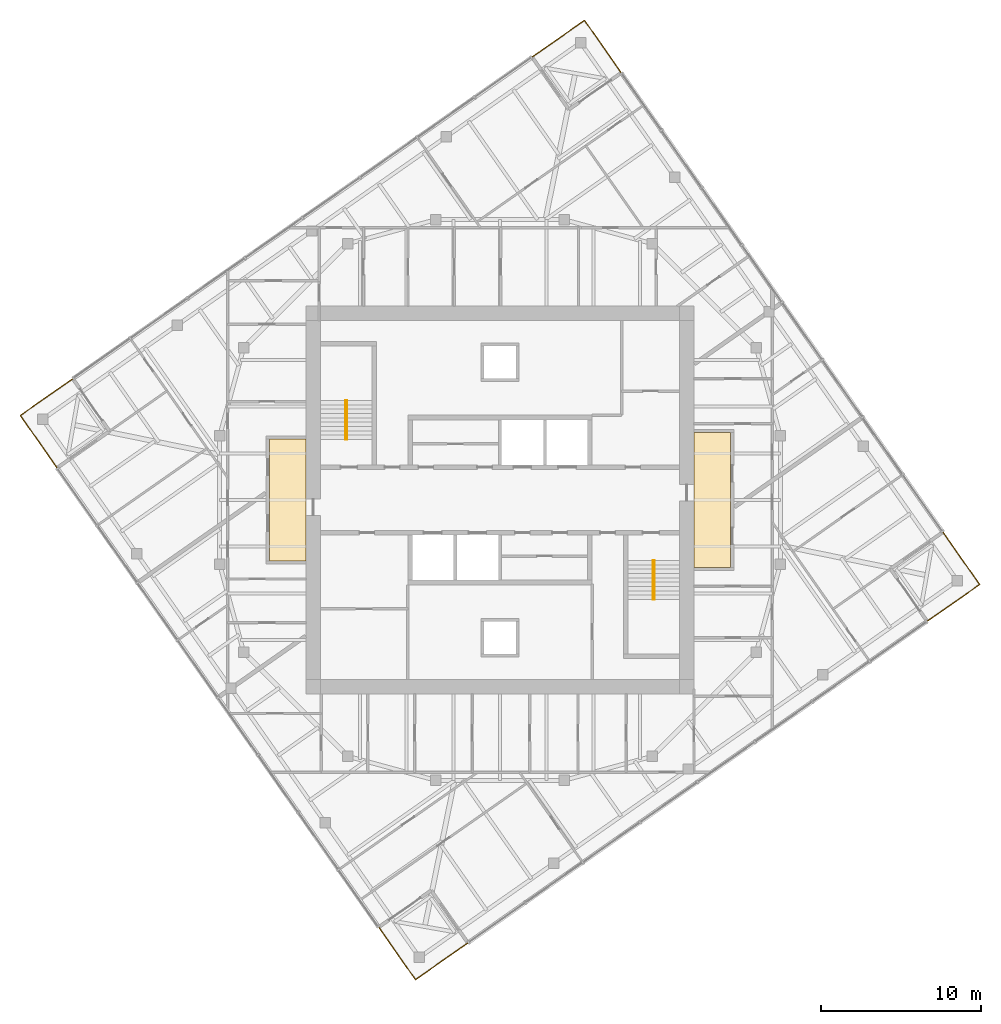
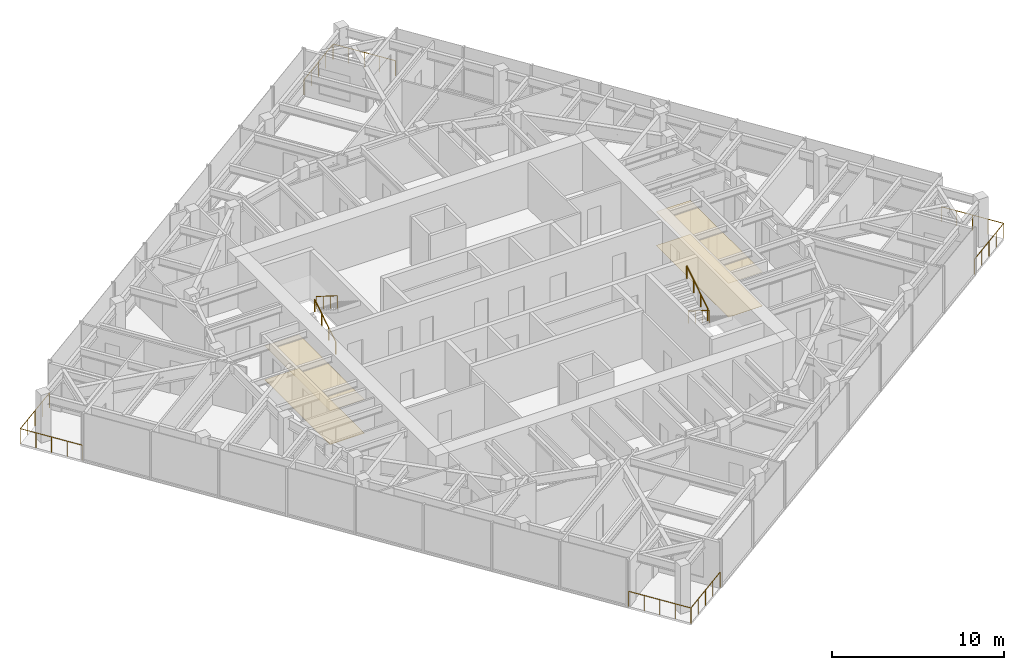
# One storey, part 12 of 12: 8 railings, 4 coverings, 2 elements without a shape of their own.
"""IFC4 building model written with IfcOpenShell, lengths in metres."""

from ifc_helpers import new_model, si_unit, direction, frame, origin, origin_2d, place, context, subcontext, project, spatial, polyline, circle, outline, extrude, material, layer, layer_set, type_object, element, aggregate, save


model = new_model("IFC4")

# Units and contexts
model_context = context("Model", 3, precision=1e-05, world=origin(), true_north=direction((0.0, 1.0)))
body_context = subcontext(model_context, "Body", "Model", "MODEL_VIEW")
ifc_project = project(units=[si_unit("LENGTHUNIT", "METRE"), si_unit("AREAUNIT", "SQUARE_METRE"), si_unit("VOLUMEUNIT", "CUBIC_METRE"), si_unit("PLANEANGLEUNIT", "RADIAN"), si_unit("MASSUNIT", "GRAM", prefix="KILO")], contexts=[model_context])

# Site, building, storey
site_placement = place(None, origin())
site = spatial("IfcSite", under=ifc_project, at=site_placement, CompositionType="ELEMENT")
building_placement = place(site_placement, origin())
building = spatial("IfcBuilding", under=site, at=building_placement, Name="Torsade Residences", CompositionType="ELEMENT")
storey_placement = place(building_placement, frame((0.0, 0.0, 243.800048828125)))
storey = spatial("IfcBuildingStorey", under=building, at=storey_placement, Name="L67", CompositionType="ELEMENT", Elevation=243.800048828125)

# Coverings
ifc_material_1 = material(Name="Nylon carpet tile on underlay", Category="textile")
ifc_layer_1 = layer(ifc_material_1, 0.010009765625)
ifc_layer_set_1 = layer_set([ifc_layer_1], Name="Nylon carpet tile on underlay")
covering_type_1 = type_object("IfcCoveringType", Name="CORRIDOR CARPET TILE 10", PredefinedType="FLOORING", material=ifc_layer_set_1)
covering_1_placement = place(storey_placement, origin())
element("IfcCovering", 1, at=covering_1_placement, inside=storey, type_object=covering_type_1, Name="Corridor carpet L67", PredefinedType="FLOORING", context=body_context, shape_type="SweptSolid", body=[
    extrude(outline(polyline([(54.39990234375, 25.800048828125), (54.39990234375, 34.199951171875), (52.10009765625, 34.199951171875), (52.10009765625, 25.800048828125), (54.39990234375, 25.800048828125)])), origin(), (0.0, 0.0, 1.0), 0.010009765625),
])
covering_2_placement = place(storey_placement, origin())
element("IfcCovering", 2, at=covering_2_placement, inside=storey, type_object=covering_type_1, Name="Corridor carpet west L67", PredefinedType="FLOORING", context=body_context, shape_type="SweptSolid", body=[
    extrude(outline(polyline([(27.89990234375, 26.199951171875), (27.89990234375, 33.800048828125), (25.60009765625, 33.800048828125), (25.60009765625, 26.199951171875), (27.89990234375, 26.199951171875)])), origin(), (0.0, 0.0, 1.0), 0.010009765625),
])
ifc_material_2 = material(Name="Plasterboard on suspended steel grid", Category="steel")
ifc_layer_2 = layer(ifc_material_2, 0.012939453125)
ifc_layer_set_2 = layer_set([ifc_layer_2], Name="Plasterboard on suspended steel grid")
covering_type_2 = type_object("IfcCoveringType", Name="CORRIDOR SUSPENDED CEILING 13", PredefinedType="CEILING", material=ifc_layer_set_2)
covering_3_placement = place(storey_placement, frame((0.0, 0.0, 2.39990234375)))
element("IfcCovering", 3, at=covering_3_placement, inside=storey, type_object=covering_type_2, Name="Corridor ceiling L67", PredefinedType="CEILING", context=body_context, shape_type="SweptSolid", body=[
    extrude(outline(polyline([(54.39990234375, 25.800048828125), (54.39990234375, 34.199951171875), (52.10009765625, 34.199951171875), (52.10009765625, 25.800048828125), (54.39990234375, 25.800048828125)])), origin(), (0.0, 0.0, 1.0), 0.012939453125),
])
covering_4_placement = place(storey_placement, frame((0.0, 0.0, 2.39990234375)))
element("IfcCovering", 4, at=covering_4_placement, inside=storey, type_object=covering_type_2, Name="Corridor ceiling west L67", PredefinedType="CEILING", context=body_context, shape_type="SweptSolid", body=[
    extrude(outline(polyline([(27.89990234375, 26.199951171875), (27.89990234375, 33.800048828125), (25.60009765625, 33.800048828125), (25.60009765625, 26.199951171875), (27.89990234375, 26.199951171875)])), origin(), (0.0, 0.0, 1.0), 0.012939453125),
])

# Stair, railings
ifc_material_3 = material(Name="Precast concrete 40 MPa", Category="concrete")
stair_type = type_object("IfcStairType", Name="HALF-TURN FIRE STAIR 1500x3400", PredefinedType="HALF_TURN_STAIR", material=ifc_material_3)
stair_1_placement = place(storey_placement, origin())
stair_1 = element("IfcStair", 5, at=stair_1_placement, inside=storey, type_object=stair_type, Name="Stair ST1 L67", PredefinedType="HALF_TURN_STAIR")
ifc_material_4 = material(Name="Steel handrail", Category="steel")
railing_type_1 = type_object("IfcRailingType", Name="STAIR HANDRAIL 900", PredefinedType="HANDRAIL", material=ifc_material_4)
railing_1_placement = place(storey_placement, frame((30.35009765625, 33.780029296875, 0.169921875)))
railing_1 = element("IfcRailing", 6, at=railing_1_placement, type_object=railing_type_1, Name="Handrail ST1 flight 1 L67", PredefinedType="HANDRAIL", context=body_context, shape_type="SweptSolid", body=[
    extrude(circle(Radius=0.02392578125, at=origin_2d()), frame((0.0, 0.0, 0.8759765625), z_axis=(0.0, 0.846221481393, 0.532831309544), x_axis=(-1.0, 0.0, 0.0)), (0.0, 0.0, 1.0), 2.87158203125),
    extrude(circle(Radius=0.02099609375, at=origin_2d()), origin(), (0.0, 0.0, 1.0), 0.851806640625),
    extrude(circle(Radius=0.02099609375, at=origin_2d()), frame((0.0, 0.81005859375, 0.510009765625)), (0.0, 0.0, 1.0), 0.851806640625),
    extrude(circle(Radius=0.02099609375, at=origin_2d()), frame((0.0, 1.619873046875, 1.02001953125)), (0.0, 0.0, 1.0), 0.851806640625),
    extrude(circle(Radius=0.02099609375, at=origin_2d()), frame((0.0, 2.429931640625, 1.530029296875)), (0.0, 0.0, 1.0), 0.851806640625),
])
railing_2_placement = place(storey_placement, frame((30.449951171875, 36.2099609375, 1.869873046875)))
railing_2 = element("IfcRailing", 7, at=railing_2_placement, type_object=railing_type_1, Name="Handrail ST1 flight 2 L67", PredefinedType="HANDRAIL", context=body_context, shape_type="SweptSolid", body=[
    extrude(circle(Radius=0.02392578125, at=origin_2d()), frame((0.0, 0.0, 0.8759765625), z_axis=(0.0, -0.846221481393, 0.532831309544), x_axis=(1.0, 0.0, 0.0)), (0.0, 0.0, 1.0), 2.87158203125),
    extrude(circle(Radius=0.02099609375, at=origin_2d()), origin(), (0.0, 0.0, 1.0), 0.851806640625),
    extrude(circle(Radius=0.02099609375, at=origin_2d()), frame((0.0, -0.81005859375, 0.510009765625)), (0.0, 0.0, 1.0), 0.851806640625),
    extrude(circle(Radius=0.02099609375, at=origin_2d()), frame((0.0, -1.619873046875, 1.02001953125)), (0.0, 0.0, 1.0), 0.851806640625),
    extrude(circle(Radius=0.02099609375, at=origin_2d()), frame((0.0, -2.429931640625, 1.530029296875)), (0.0, 0.0, 1.0), 0.851806640625),
])
aggregate(stair_1, [railing_1, railing_2])

stair_2_placement = place(storey_placement, origin())
stair_2 = element("IfcStair", 8, at=stair_2_placement, inside=storey, type_object=stair_type, Name="Stair ST2 L67", PredefinedType="HALF_TURN_STAIR")
railing_3_placement = place(storey_placement, frame((49.64990234375, 26.219970703125, 0.169921875)))
railing_3 = element("IfcRailing", 9, at=railing_3_placement, type_object=railing_type_1, Name="Handrail ST2 flight 1 L67", PredefinedType="HANDRAIL", context=body_context, shape_type="SweptSolid", body=[
    extrude(circle(Radius=0.02392578125, at=origin_2d()), frame((0.0, 0.0, 0.8759765625), z_axis=(0.0, -0.846221481393, 0.532831309544), x_axis=(1.0, 0.0, 0.0)), (0.0, 0.0, 1.0), 2.87158203125),
    extrude(circle(Radius=0.02099609375, at=origin_2d()), origin(), (0.0, 0.0, 1.0), 0.851806640625),
    extrude(circle(Radius=0.02099609375, at=origin_2d()), frame((0.0, -0.81005859375, 0.510009765625)), (0.0, 0.0, 1.0), 0.851806640625),
    extrude(circle(Radius=0.02099609375, at=origin_2d()), frame((0.0, -1.619873046875, 1.02001953125)), (0.0, 0.0, 1.0), 0.851806640625),
    extrude(circle(Radius=0.02099609375, at=origin_2d()), frame((0.0, -2.429931640625, 1.530029296875)), (0.0, 0.0, 1.0), 0.851806640625),
])
railing_4_placement = place(storey_placement, frame((49.550048828125, 23.7900390625, 1.869873046875)))
railing_4 = element("IfcRailing", 10, at=railing_4_placement, type_object=railing_type_1, Name="Handrail ST2 flight 2 L67", PredefinedType="HANDRAIL", context=body_context, shape_type="SweptSolid", body=[
    extrude(circle(Radius=0.02392578125, at=origin_2d()), frame((0.0, 0.0, 0.8759765625), z_axis=(0.0, 0.846221481393, 0.532831309544), x_axis=(-1.0, 0.0, 0.0)), (0.0, 0.0, 1.0), 2.87158203125),
    extrude(circle(Radius=0.02099609375, at=origin_2d()), origin(), (0.0, 0.0, 1.0), 0.851806640625),
    extrude(circle(Radius=0.02099609375, at=origin_2d()), frame((0.0, 0.81005859375, 0.510009765625)), (0.0, 0.0, 1.0), 0.851806640625),
    extrude(circle(Radius=0.02099609375, at=origin_2d()), frame((0.0, 1.619873046875, 1.02001953125)), (0.0, 0.0, 1.0), 0.851806640625),
    extrude(circle(Radius=0.02099609375, at=origin_2d()), frame((0.0, 2.429931640625, 1.530029296875)), (0.0, 0.0, 1.0), 0.851806640625),
])
aggregate(stair_2, [railing_3, railing_4])

# Railings
ifc_material_5 = material(Name="Laminated glass balustrade", Category="glass")
railing_type_2 = type_object("IfcRailingType", Name="TERRACE GLASS BALUSTRADE 1100", PredefinedType="BALUSTRADE", material=ifc_material_5)
railing_5_placement = place(storey_placement, frame((66.6669921875, 22.42578125, 0.0)))
element("IfcRailing", 11, at=railing_5_placement, inside=storey, type_object=railing_type_2, Name="Terrace balustrade SE L67", PredefinedType="BALUSTRADE", context=body_context, shape_type="SweptSolid", body=[
    extrude(circle(Radius=0.02392578125, at=origin_2d()), frame((0.0, 0.0, 1.076171875), z_axis=(0.819137286189, 0.573597512525, 0.0), x_axis=(-0.573597512525, 0.819137286189, 0.0)), (0.0, 0.0, 1.0), 4.0),
    extrude(circle(Radius=0.02392578125, at=origin_2d()), frame((3.276611328125, 2.29443359375, 1.076171875), z_axis=(-0.573556557423, 0.819165963305, 0.0), x_axis=(-0.819165963305, -0.573556557423, 0.0)), (0.0, 0.0, 1.0), 4.0),
    extrude(circle(Radius=0.02099609375, at=origin_2d()), origin(), (0.0, 0.0, 1.0), 1.052001953125),
    extrude(circle(Radius=0.02099609375, at=origin_2d()), frame((0.819091796875, 0.57373046875, 0.0)), (0.0, 0.0, 1.0), 1.052001953125),
    extrude(circle(Radius=0.02099609375, at=origin_2d()), frame((1.63818359375, 1.147216796875, 0.0)), (0.0, 0.0, 1.0), 1.052001953125),
    extrude(circle(Radius=0.02099609375, at=origin_2d()), frame((2.45751953125, 1.720703125, 0.0)), (0.0, 0.0, 1.0), 1.052001953125),
    extrude(circle(Radius=0.02099609375, at=origin_2d()), frame((3.276611328125, 2.29443359375, 0.0)), (0.0, 0.0, 1.0), 1.052001953125),
    extrude(circle(Radius=0.02099609375, at=origin_2d()), frame((2.703125, 3.113525390625, 0.0)), (0.0, 0.0, 1.0), 1.052001953125),
    extrude(circle(Radius=0.02099609375, at=origin_2d()), frame((2.12939453125, 3.9326171875, 0.0)), (0.0, 0.0, 1.0), 1.052001953125),
    extrude(circle(Radius=0.02099609375, at=origin_2d()), frame((1.555908203125, 4.751953125, 0.0)), (0.0, 0.0, 1.0), 1.052001953125),
    extrude(circle(Radius=0.02099609375, at=origin_2d()), frame((0.982421875, 5.571044921875, 0.0)), (0.0, 0.0, 1.0), 1.052001953125),
])
railing_6_placement = place(storey_placement, frame((47.57421875, 56.6669921875, 0.0)))
element("IfcRailing", 12, at=railing_6_placement, inside=storey, type_object=railing_type_2, Name="Terrace balustrade NE L67", PredefinedType="BALUSTRADE", context=body_context, shape_type="SweptSolid", body=[
    extrude(circle(Radius=0.02392578125, at=origin_2d()), frame((0.0, 0.0, 1.076171875), z_axis=(-0.573597512525, 0.819137286189, 0.0), x_axis=(-0.819137286189, -0.573597512525, 0.0)), (0.0, 0.0, 1.0), 4.0),
    extrude(circle(Radius=0.02392578125, at=origin_2d()), frame((-2.29443359375, 3.276611328125, 1.076171875), z_axis=(-0.819165963305, -0.573556557423, 0.0), x_axis=(0.573556557423, -0.819165963305, 0.0)), (0.0, 0.0, 1.0), 4.0),
    extrude(circle(Radius=0.02099609375, at=origin_2d()), origin(), (0.0, 0.0, 1.0), 1.052001953125),
    extrude(circle(Radius=0.02099609375, at=origin_2d()), frame((-0.57373046875, 0.819091796875, 0.0)), (0.0, 0.0, 1.0), 1.052001953125),
    extrude(circle(Radius=0.02099609375, at=origin_2d()), frame((-1.147216796875, 1.63818359375, 0.0)), (0.0, 0.0, 1.0), 1.052001953125),
    extrude(circle(Radius=0.02099609375, at=origin_2d()), frame((-1.720703125, 2.45751953125, 0.0)), (0.0, 0.0, 1.0), 1.052001953125),
    extrude(circle(Radius=0.02099609375, at=origin_2d()), frame((-2.29443359375, 3.276611328125, 0.0)), (0.0, 0.0, 1.0), 1.052001953125),
    extrude(circle(Radius=0.02099609375, at=origin_2d()), frame((-3.113525390625, 2.703125, 0.0)), (0.0, 0.0, 1.0), 1.052001953125),
    extrude(circle(Radius=0.02099609375, at=origin_2d()), frame((-3.9326171875, 2.12939453125, 0.0)), (0.0, 0.0, 1.0), 1.052001953125),
    extrude(circle(Radius=0.02099609375, at=origin_2d()), frame((-4.751953125, 1.555908203125, 0.0)), (0.0, 0.0, 1.0), 1.052001953125),
    extrude(circle(Radius=0.02099609375, at=origin_2d()), frame((-5.571044921875, 0.982421875, 0.0)), (0.0, 0.0, 1.0), 1.052001953125),
])
railing_7_placement = place(storey_placement, frame((13.3330078125, 37.57421875, 0.0)))
element("IfcRailing", 13, at=railing_7_placement, inside=storey, type_object=railing_type_2, Name="Terrace balustrade NW L67", PredefinedType="BALUSTRADE", context=body_context, shape_type="SweptSolid", body=[
    extrude(circle(Radius=0.02392578125, at=origin_2d()), frame((0.0, 0.0, 1.076171875), z_axis=(-0.819137286189, -0.573597512525, 0.0), x_axis=(0.573597512525, -0.819137286189, 0.0)), (0.0, 0.0, 1.0), 4.0),
    extrude(circle(Radius=0.02392578125, at=origin_2d()), frame((-3.276611328125, -2.29443359375, 1.076171875), z_axis=(0.573556557423, -0.819165963305, 0.0), x_axis=(0.819165963305, 0.573556557423, 0.0)), (0.0, 0.0, 1.0), 4.0),
    extrude(circle(Radius=0.02099609375, at=origin_2d()), origin(), (0.0, 0.0, 1.0), 1.052001953125),
    extrude(circle(Radius=0.02099609375, at=origin_2d()), frame((-0.819091796875, -0.57373046875, 0.0)), (0.0, 0.0, 1.0), 1.052001953125),
    extrude(circle(Radius=0.02099609375, at=origin_2d()), frame((-1.63818359375, -1.147216796875, 0.0)), (0.0, 0.0, 1.0), 1.052001953125),
    extrude(circle(Radius=0.02099609375, at=origin_2d()), frame((-2.45751953125, -1.720703125, 0.0)), (0.0, 0.0, 1.0), 1.052001953125),
    extrude(circle(Radius=0.02099609375, at=origin_2d()), frame((-3.276611328125, -2.29443359375, 0.0)), (0.0, 0.0, 1.0), 1.052001953125),
    extrude(circle(Radius=0.02099609375, at=origin_2d()), frame((-2.703125, -3.113525390625, 0.0)), (0.0, 0.0, 1.0), 1.052001953125),
    extrude(circle(Radius=0.02099609375, at=origin_2d()), frame((-2.12939453125, -3.9326171875, 0.0)), (0.0, 0.0, 1.0), 1.052001953125),
    extrude(circle(Radius=0.02099609375, at=origin_2d()), frame((-1.555908203125, -4.751953125, 0.0)), (0.0, 0.0, 1.0), 1.052001953125),
    extrude(circle(Radius=0.02099609375, at=origin_2d()), frame((-0.982421875, -5.571044921875, 0.0)), (0.0, 0.0, 1.0), 1.052001953125),
])
railing_8_placement = place(storey_placement, frame((32.42578125, 3.3330078125, 0.0)))
element("IfcRailing", 14, at=railing_8_placement, inside=storey, type_object=railing_type_2, Name="Terrace balustrade SW L67", PredefinedType="BALUSTRADE", context=body_context, shape_type="SweptSolid", body=[
    extrude(circle(Radius=0.02392578125, at=origin_2d()), frame((0.0, 0.0, 1.076171875), z_axis=(0.573597512525, -0.819137286189, 0.0), x_axis=(0.819137286189, 0.573597512525, 0.0)), (0.0, 0.0, 1.0), 4.0),
    extrude(circle(Radius=0.02392578125, at=origin_2d()), frame((2.29443359375, -3.276611328125, 1.076171875), z_axis=(0.819165963305, 0.573556557423, 0.0), x_axis=(-0.573556557423, 0.819165963305, 0.0)), (0.0, 0.0, 1.0), 4.0),
    extrude(circle(Radius=0.02099609375, at=origin_2d()), origin(), (0.0, 0.0, 1.0), 1.052001953125),
    extrude(circle(Radius=0.02099609375, at=origin_2d()), frame((0.57373046875, -0.819091796875, 0.0)), (0.0, 0.0, 1.0), 1.052001953125),
    extrude(circle(Radius=0.02099609375, at=origin_2d()), frame((1.147216796875, -1.63818359375, 0.0)), (0.0, 0.0, 1.0), 1.052001953125),
    extrude(circle(Radius=0.02099609375, at=origin_2d()), frame((1.720703125, -2.45751953125, 0.0)), (0.0, 0.0, 1.0), 1.052001953125),
    extrude(circle(Radius=0.02099609375, at=origin_2d()), frame((2.29443359375, -3.276611328125, 0.0)), (0.0, 0.0, 1.0), 1.052001953125),
    extrude(circle(Radius=0.02099609375, at=origin_2d()), frame((3.113525390625, -2.703125, 0.0)), (0.0, 0.0, 1.0), 1.052001953125),
    extrude(circle(Radius=0.02099609375, at=origin_2d()), frame((3.9326171875, -2.12939453125, 0.0)), (0.0, 0.0, 1.0), 1.052001953125),
    extrude(circle(Radius=0.02099609375, at=origin_2d()), frame((4.751953125, -1.555908203125, 0.0)), (0.0, 0.0, 1.0), 1.052001953125),
    extrude(circle(Radius=0.02099609375, at=origin_2d()), frame((5.571044921875, -0.982421875, 0.0)), (0.0, 0.0, 1.0), 1.052001953125),
])

save(model, "model.ifc")
